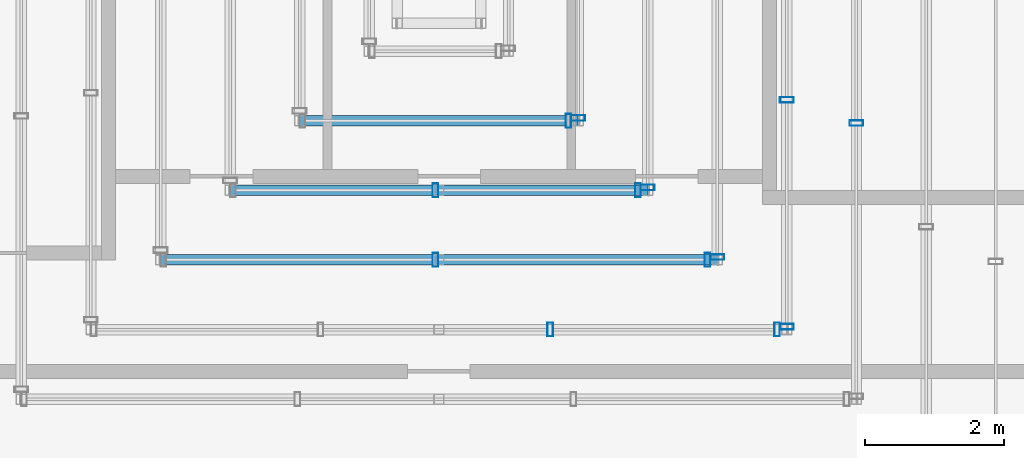
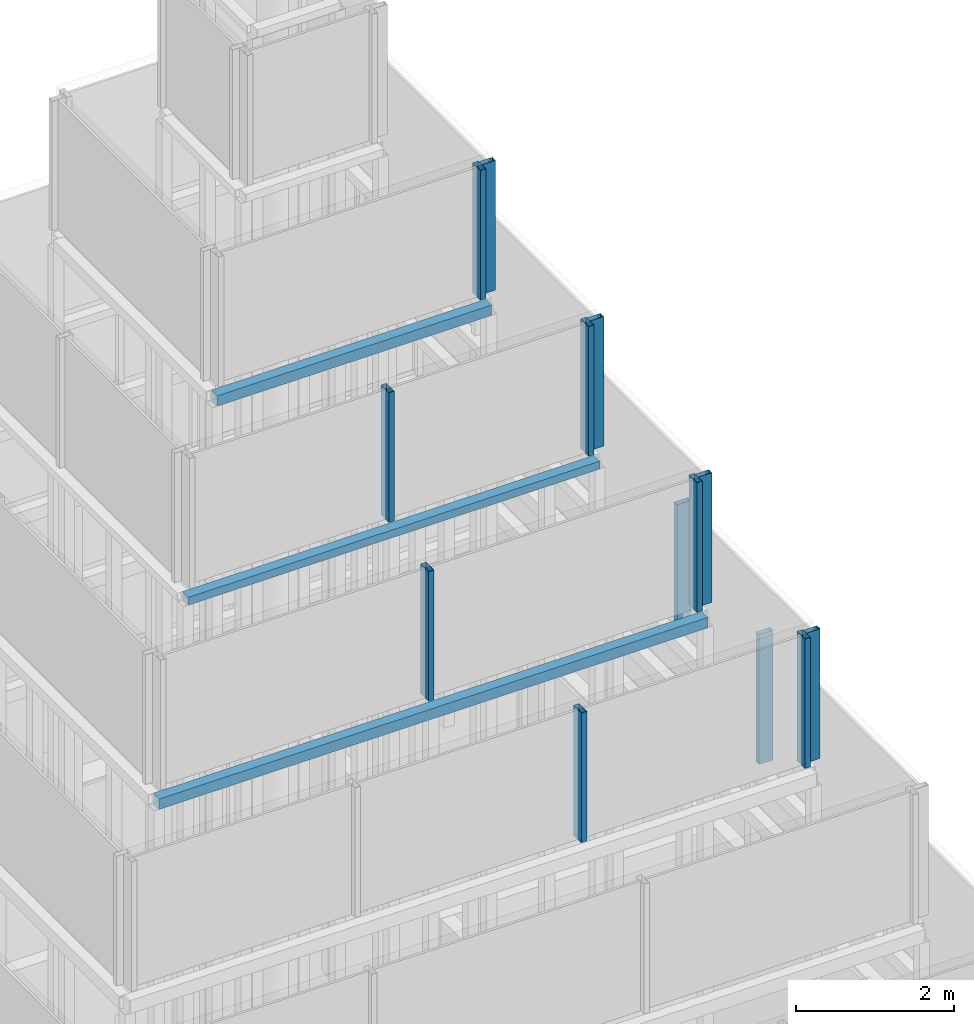
# One storey, part 7 of 24: 13 members, 3 beams, 9 elements without a shape of their own.
"""IFC4 building model written with IfcOpenShell, lengths in metres."""

from ifc_helpers import new_model, si_unit, direction, frame, origin, origin_2d, place, context, subcontext, project, spatial, hollow_rectangle, extrude, material, material_profile, profile_set, type_object, element, aggregate, save


model = new_model("IFC4")

# Units and contexts
model_context = context("Model", 3, precision=1e-05, world=origin(), true_north=direction((0.0, 1.0)))
body_context = subcontext(model_context, "Body", "Model", "MODEL_VIEW")
ifc_project = project(units=[si_unit("LENGTHUNIT", "METRE"), si_unit("AREAUNIT", "SQUARE_METRE"), si_unit("VOLUMEUNIT", "CUBIC_METRE"), si_unit("PLANEANGLEUNIT", "RADIAN"), si_unit("MASSUNIT", "GRAM", prefix="KILO")], contexts=[model_context])

# Site, building, storey
site_placement = place(None, origin())
site = spatial("IfcSite", under=ifc_project, at=site_placement, CompositionType="ELEMENT")
building_placement = place(site_placement, origin())
building = spatial("IfcBuilding", under=site, at=building_placement, Name="Altepetl Exchange Towers", CompositionType="ELEMENT")
storey_placement = place(building_placement, frame((0.0, 0.0, 279.10009765625)))
storey = spatial("IfcBuildingStorey", under=building, at=storey_placement, Name="L70 Crown plant", CompositionType="ELEMENT", Elevation=279.10009765625)

# Beams
ifc_material_1 = material(Name="Steel S355", Category="steel")
ifc_material_profile_1 = material_profile(ifc_material_1, hollow_rectangle(XDim=0.14990234375, YDim=0.1201171875, WallThickness=0.008056640625, at=origin_2d()), Name="RHS 120x150x8")
ifc_profile_set_1 = profile_set([ifc_material_profile_1], Name="Steel S355")
beam_type_1 = type_object("IfcBeamType", Name="Crown ring beam hollow section 150x120x8", PredefinedType="BEAM", material=ifc_profile_set_1)
beam_1_placement = place(storey_placement, frame((46.5, 46.5, 15.039794921875), z_axis=(1.0, 0.0, 0.0), x_axis=(0.0, 1.0, 0.0)))
element("IfcBeam", 1, at=beam_1_placement, inside=storey, type_object=beam_type_1, Name="Crown ring beam", PredefinedType="BEAM", context=body_context, shape_type="SweptSolid", body=[
    extrude(hollow_rectangle(XDim=0.14990234375, YDim=0.1201171875, WallThickness=0.008056640625, at=origin_2d()), origin(), (0.0, 0.0, 1.0), 6.0),
])
ifc_material_profile_2 = material_profile(ifc_material_1, hollow_rectangle(XDim=0.14990234375, YDim=0.159912109375, WallThickness=0.008056640625, at=origin_2d()), Name="RHS 160x150x8")
ifc_profile_set_2 = profile_set([ifc_material_profile_2], Name="Steel S355")
beam_type_2 = type_object("IfcBeamType", Name="Crown ring beam hollow section 150x160x8", PredefinedType="BEAM", material=ifc_profile_set_2)
beam_2_placement = place(storey_placement, frame((45.5, 45.5, 12.869873046875), z_axis=(1.0, 0.0, 0.0), x_axis=(0.0, 1.0, 0.0)))
element("IfcBeam", 2, at=beam_2_placement, inside=storey, type_object=beam_type_2, Name="Crown ring beam", PredefinedType="BEAM", context=body_context, shape_type="SweptSolid", body=[
    extrude(hollow_rectangle(XDim=0.14990234375, YDim=0.159912109375, WallThickness=0.008056640625, at=origin_2d()), origin(), (0.0, 0.0, 1.0), 8.0),
])
beam_3_placement = place(storey_placement, frame((47.5, 47.5, 17.169921875), z_axis=(1.0, 0.0, 0.0), x_axis=(0.0, 1.0, 0.0)))
element("IfcBeam", 3, at=beam_3_placement, inside=storey, type_object=beam_type_2, Name="Crown ring beam", PredefinedType="BEAM", context=body_context, shape_type="SweptSolid", body=[
    extrude(hollow_rectangle(XDim=0.14990234375, YDim=0.159912109375, WallThickness=0.008056640625, at=origin_2d()), origin(), (0.0, 0.0, 1.0), 4.0),
])

# Curtain wall, member
ifc_material_2 = material(Name="Aluminium 6063-T6 glazing", Category="aluminium")
curtain_wall_type = type_object("IfcCurtainWallType", Name="Crown glazing system", PredefinedType="NOTDEFINED", material=ifc_material_2)
curtain_wall_1_placement = place(storey_placement, origin())
curtain_wall_1 = element("IfcCurtainWall", 4, at=curtain_wall_1_placement, inside=storey, type_object=curtain_wall_type, Name="CW7 run", PredefinedType="NOTDEFINED")
ifc_material_3 = material(Name="Aluminium 6063-T6", Category="aluminium")
ifc_material_profile_3 = material_profile(ifc_material_3, hollow_rectangle(XDim=0.080078125, YDim=0.199951171875, WallThickness=0.0029296875, at=origin_2d()), Name="Mullion 80x200 hollow aluminium")
ifc_profile_set_3 = profile_set([ifc_material_profile_3], Name="Aluminium 6063-T6")
member_type = type_object("IfcMemberType", Name="Mullion 80x200 hollow aluminium", PredefinedType="MULLION", material=ifc_profile_set_3)
member_1_placement = place(storey_placement, frame((55.5, 47.466552734375, 8.7998046875), z_axis=(0.0, 0.0, 1.0), x_axis=(0.0, 1.0, 0.0)))
member_1 = element("IfcMember", 5, at=member_1_placement, type_object=member_type, Name="MU5 mullion", PredefinedType="MULLION", context=body_context, shape_type="SweptSolid", body=[
    extrude(hollow_rectangle(XDim=0.080078125, YDim=0.199951171875, WallThickness=0.0029296875, at=origin_2d()), origin(), (0.0, 0.0, 1.0), 2.0),
])
aggregate(curtain_wall_1, [member_1])

# Curtain wall, members
curtain_wall_2_placement = place(storey_placement, origin())
curtain_wall_2 = element("IfcCurtainWall", 6, at=curtain_wall_2_placement, inside=storey, type_object=curtain_wall_type, Name="CW7 run", PredefinedType="NOTDEFINED")
member_2_placement = place(storey_placement, frame((51.10009765625, 44.5, 10.949951171875)))
member_2 = element("IfcMember", 7, at=member_2_placement, type_object=member_type, Name="MU5 mullion", PredefinedType="MULLION", context=body_context, shape_type="SweptSolid", body=[
    extrude(hollow_rectangle(XDim=0.080078125, YDim=0.199951171875, WallThickness=0.0029296875, at=origin_2d()), origin(), (0.0, 0.0, 1.0), 2.0),
])
member_3_placement = place(storey_placement, frame((54.360107421875, 44.5, 10.949951171875)))
member_3 = element("IfcMember", 8, at=member_3_placement, type_object=member_type, Name="MU5 mullion", PredefinedType="MULLION", context=body_context, shape_type="SweptSolid", body=[
    extrude(hollow_rectangle(XDim=0.080078125, YDim=0.199951171875, WallThickness=0.0029296875, at=origin_2d()), origin(), (0.0, 0.0, 1.0), 2.0),
])
aggregate(curtain_wall_2, [member_2, member_3])

curtain_wall_3_placement = place(storey_placement, origin())
curtain_wall_3 = element("IfcCurtainWall", 9, at=curtain_wall_3_placement, inside=storey, type_object=curtain_wall_type, Name="CW7 run", PredefinedType="NOTDEFINED")
member_4_placement = place(storey_placement, frame((54.5, 44.5400390625, 10.949951171875), z_axis=(0.0, 0.0, 1.0), x_axis=(0.0, 1.0, 0.0)))
member_4 = element("IfcMember", 10, at=member_4_placement, type_object=member_type, Name="MU5 mullion", PredefinedType="MULLION", context=body_context, shape_type="SweptSolid", body=[
    extrude(hollow_rectangle(XDim=0.080078125, YDim=0.199951171875, WallThickness=0.0029296875, at=origin_2d()), origin(), (0.0, 0.0, 1.0), 2.0),
])
member_5_placement = place(storey_placement, frame((54.5, 47.800048828125, 10.949951171875), z_axis=(0.0, 0.0, 1.0), x_axis=(0.0, 1.0, 0.0)))
member_5 = element("IfcMember", 11, at=member_5_placement, type_object=member_type, Name="MU5 mullion", PredefinedType="MULLION", context=body_context, shape_type="SweptSolid", body=[
    extrude(hollow_rectangle(XDim=0.080078125, YDim=0.199951171875, WallThickness=0.0029296875, at=origin_2d()), origin(), (0.0, 0.0, 1.0), 2.0),
])
aggregate(curtain_wall_3, [member_4, member_5])

curtain_wall_4_placement = place(storey_placement, origin())
curtain_wall_4 = element("IfcCurtainWall", 12, at=curtain_wall_4_placement, inside=storey, type_object=curtain_wall_type, Name="CW7 run", PredefinedType="NOTDEFINED")
member_6_placement = place(storey_placement, frame((49.449951171875, 45.5, 13.099853515625)))
member_6 = element("IfcMember", 13, at=member_6_placement, type_object=member_type, Name="MU5 mullion", PredefinedType="MULLION", context=body_context, shape_type="SweptSolid", body=[
    extrude(hollow_rectangle(XDim=0.080078125, YDim=0.199951171875, WallThickness=0.0029296875, at=origin_2d()), origin(), (0.0, 0.0, 1.0), 2.0),
])
member_7_placement = place(storey_placement, frame((53.360107421875, 45.5, 13.099853515625)))
member_7 = element("IfcMember", 14, at=member_7_placement, type_object=member_type, Name="MU5 mullion", PredefinedType="MULLION", context=body_context, shape_type="SweptSolid", body=[
    extrude(hollow_rectangle(XDim=0.080078125, YDim=0.199951171875, WallThickness=0.0029296875, at=origin_2d()), origin(), (0.0, 0.0, 1.0), 2.0),
])
aggregate(curtain_wall_4, [member_6, member_7])

# Curtain wall, member
curtain_wall_5_placement = place(storey_placement, origin())
curtain_wall_5 = element("IfcCurtainWall", 15, at=curtain_wall_5_placement, inside=storey, type_object=curtain_wall_type, Name="CW7 run", PredefinedType="NOTDEFINED")
member_8_placement = place(storey_placement, frame((53.5, 45.5400390625, 13.099853515625), z_axis=(0.0, 0.0, 1.0), x_axis=(0.0, 1.0, 0.0)))
member_8 = element("IfcMember", 16, at=member_8_placement, type_object=member_type, Name="MU5 mullion", PredefinedType="MULLION", context=body_context, shape_type="SweptSolid", body=[
    extrude(hollow_rectangle(XDim=0.080078125, YDim=0.199951171875, WallThickness=0.0029296875, at=origin_2d()), origin(), (0.0, 0.0, 1.0), 2.0),
])
aggregate(curtain_wall_5, [member_8])

# Curtain wall, members
curtain_wall_6_placement = place(storey_placement, origin())
curtain_wall_6 = element("IfcCurtainWall", 17, at=curtain_wall_6_placement, inside=storey, type_object=curtain_wall_type, Name="CW7 run", PredefinedType="NOTDEFINED")
member_9_placement = place(storey_placement, frame((49.449951171875, 46.5, 15.25)))
member_9 = element("IfcMember", 18, at=member_9_placement, type_object=member_type, Name="MU5 mullion", PredefinedType="MULLION", context=body_context, shape_type="SweptSolid", body=[
    extrude(hollow_rectangle(XDim=0.080078125, YDim=0.199951171875, WallThickness=0.0029296875, at=origin_2d()), origin(), (0.0, 0.0, 1.0), 2.0),
])
member_10_placement = place(storey_placement, frame((52.360107421875, 46.5, 15.25)))
member_10 = element("IfcMember", 19, at=member_10_placement, type_object=member_type, Name="MU5 mullion", PredefinedType="MULLION", context=body_context, shape_type="SweptSolid", body=[
    extrude(hollow_rectangle(XDim=0.080078125, YDim=0.199951171875, WallThickness=0.0029296875, at=origin_2d()), origin(), (0.0, 0.0, 1.0), 2.0),
])
aggregate(curtain_wall_6, [member_9, member_10])

# Curtain wall, member
curtain_wall_7_placement = place(storey_placement, origin())
curtain_wall_7 = element("IfcCurtainWall", 20, at=curtain_wall_7_placement, inside=storey, type_object=curtain_wall_type, Name="CW7 run", PredefinedType="NOTDEFINED")
member_11_placement = place(storey_placement, frame((52.5, 46.5400390625, 15.25), z_axis=(0.0, 0.0, 1.0), x_axis=(0.0, 1.0, 0.0)))
member_11 = element("IfcMember", 21, at=member_11_placement, type_object=member_type, Name="MU5 mullion", PredefinedType="MULLION", context=body_context, shape_type="SweptSolid", body=[
    extrude(hollow_rectangle(XDim=0.080078125, YDim=0.199951171875, WallThickness=0.0029296875, at=origin_2d()), origin(), (0.0, 0.0, 1.0), 2.0),
])
aggregate(curtain_wall_7, [member_11])

curtain_wall_8_placement = place(storey_placement, origin())
curtain_wall_8 = element("IfcCurtainWall", 22, at=curtain_wall_8_placement, inside=storey, type_object=curtain_wall_type, Name="CW7 run", PredefinedType="NOTDEFINED")
member_12_placement = place(storey_placement, frame((51.360107421875, 47.5, 17.39990234375)))
member_12 = element("IfcMember", 23, at=member_12_placement, type_object=member_type, Name="MU5 mullion", PredefinedType="MULLION", context=body_context, shape_type="SweptSolid", body=[
    extrude(hollow_rectangle(XDim=0.080078125, YDim=0.199951171875, WallThickness=0.0029296875, at=origin_2d()), origin(), (0.0, 0.0, 1.0), 2.0),
])
aggregate(curtain_wall_8, [member_12])

curtain_wall_9_placement = place(storey_placement, origin())
curtain_wall_9 = element("IfcCurtainWall", 24, at=curtain_wall_9_placement, inside=storey, type_object=curtain_wall_type, Name="CW7 run", PredefinedType="NOTDEFINED")
member_13_placement = place(storey_placement, frame((51.5, 47.5400390625, 17.39990234375), z_axis=(0.0, 0.0, 1.0), x_axis=(0.0, 1.0, 0.0)))
member_13 = element("IfcMember", 25, at=member_13_placement, type_object=member_type, Name="MU5 mullion", PredefinedType="MULLION", context=body_context, shape_type="SweptSolid", body=[
    extrude(hollow_rectangle(XDim=0.080078125, YDim=0.199951171875, WallThickness=0.0029296875, at=origin_2d()), origin(), (0.0, 0.0, 1.0), 2.0),
])
aggregate(curtain_wall_9, [member_13])

save(model, "model.ifc")
